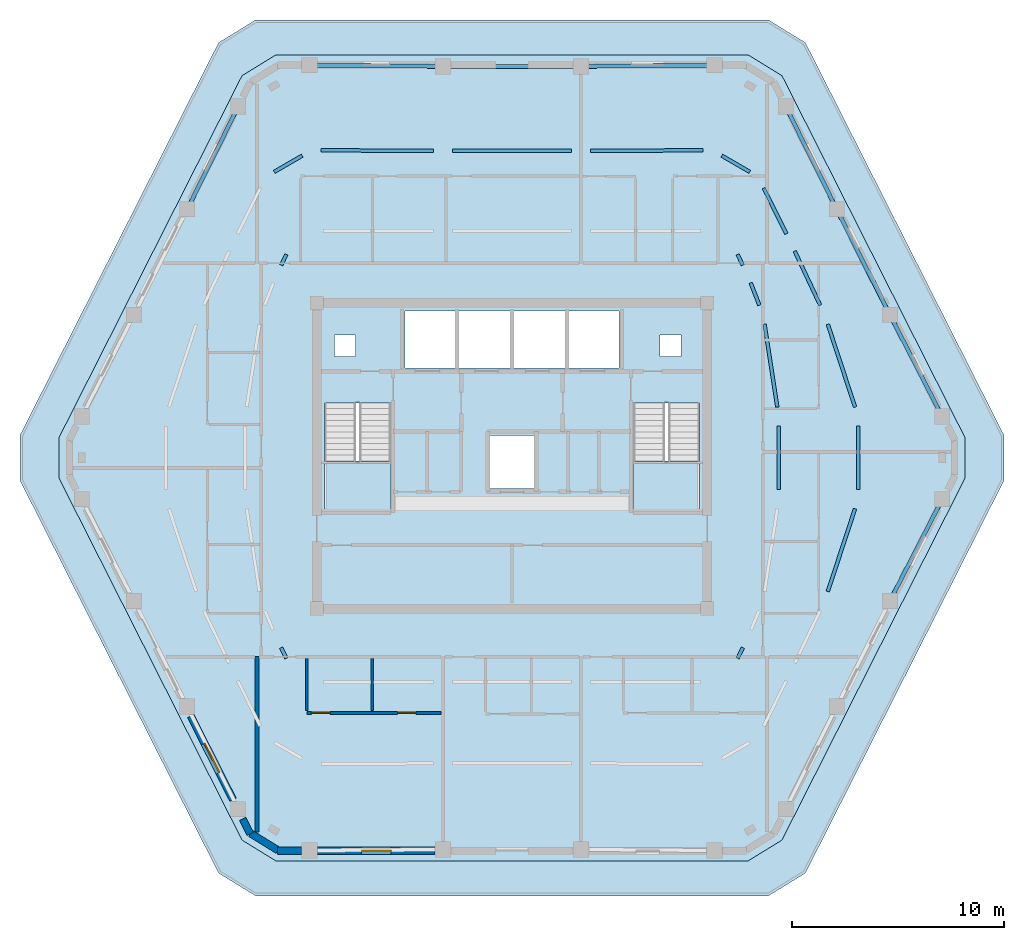
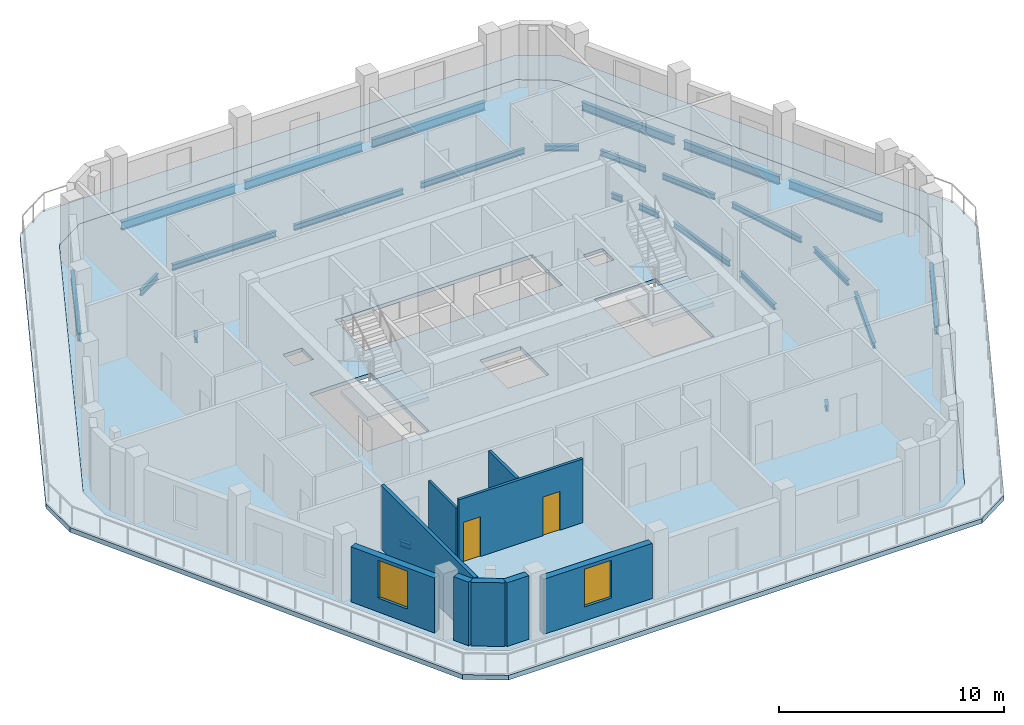
# One storey, part 2 of 10: 25 beams, 9 walls, 4 slabs, 2 doors, 2 windows, 4 openings, 2 elements without a shape of their own.
"""IFC4 building model written with IfcOpenShell, lengths in metres."""

from ifc_helpers import new_model, si_unit, direction, frame, frame_2d, origin, origin_2d, place, context, subcontext, project, spatial, polyline, rectangle, i_section, outline, extrude, material, layer, layer_set, material_profile, profile_set, type_object, element, fill, aggregate, save


model = new_model("IFC4")

# Units and contexts
model_context = context("Model", 3, precision=1e-05, world=origin(), true_north=direction((0.0, 1.0)))
body_context = subcontext(model_context, "Body", "Model", "MODEL_VIEW")
ifc_project = project(units=[si_unit("LENGTHUNIT", "METRE"), si_unit("AREAUNIT", "SQUARE_METRE"), si_unit("VOLUMEUNIT", "CUBIC_METRE"), si_unit("PLANEANGLEUNIT", "RADIAN"), si_unit("MASSUNIT", "GRAM", prefix="KILO")], contexts=[model_context])

# Site, building, storey
site_placement = place(None, origin())
site = spatial("IfcSite", under=ifc_project, at=site_placement, CompositionType="ELEMENT")
building_placement = place(site_placement, origin())
building = spatial("IfcBuilding", under=site, at=building_placement, Name="Cinnabar Lancet Tower", CompositionType="ELEMENT")
storey_placement = place(building_placement, frame((0.0, 0.0, 227.0)))
storey = spatial("IfcBuildingStorey", under=building, at=storey_placement, Name="L60", CompositionType="ELEMENT", Elevation=227.0)

# Beams
ifc_material_1 = material(Name="Structural steel S355", Category="steel")
ifc_material_profile_1 = material_profile(ifc_material_1, i_section(OverallWidth=0.1650390625, OverallDepth=0.303466796875, WebThickness=0.006103515625, FlangeThickness=0.01025390625, FilletRadius=0.0087890625, at=origin_2d()), Name="UKB 305x165x40")
ifc_profile_set_1 = profile_set([ifc_material_profile_1], Name="Structural steel S355")
beam_type_1 = type_object("IfcBeamType", Name="STR-BM-JST-305", PredefinedType="JOIST", material=ifc_profile_set_1)
for number, where, z_axis, x_axis, name in (
    (1, (21.489013671875, 16.823974609375, -0.35205078125), (0.444411959601, -0.895822532739, 0.0), (0.895822532739, 0.444411959601, 0.0), "L60 Secondary Floor Joist 6"),
    (2, (43.06298828125, 16.323974609375, -0.35205078125), (0.444411959601, 0.895822532739, 0.0), (-0.895822532739, 0.444411959601, 0.0), "L60 Secondary Floor Joist 16"),
):
    element("IfcBeam", number, at=place(storey_placement, frame(where, z_axis=z_axis, x_axis=x_axis)), inside=storey, type_object=beam_type_1, Name=name, PredefinedType="JOIST", context=body_context, shape_type="SweptSolid", body=[
        extrude(i_section(OverallWidth=0.1650390625, OverallDepth=0.303466796875, WebThickness=0.006103515625, FlangeThickness=0.01025390625, FilletRadius=0.0087890625, at=origin_2d()), origin(), (0.0, 0.0, 1.0), 0.55810546875),
    ])
beam_1_placement = place(storey_placement, frame((47.3291015625, 19.48291015625, -0.35205078125), z_axis=(0.312472773366, 0.949926716071, 0.0), x_axis=(-0.949926716071, 0.312472773366, 0.0)))
element("IfcBeam", 3, at=beam_1_placement, inside=storey, type_object=beam_type_1, Name="L60 Secondary Floor Joist 19", PredefinedType="JOIST", context=body_context, shape_type="SweptSolid", body=[
    extrude(i_section(OverallWidth=0.1650390625, OverallDepth=0.303466796875, WebThickness=0.006103515625, FlangeThickness=0.01025390625, FilletRadius=0.0087890625, at=origin_2d()), origin(), (0.0, 0.0, 1.0), 4.118408203125),
])
for number, where, z_axis, x_axis, name in (
    (4, (48.763916015625, 24.294921875, -0.35205078125), (0.0, 1.0, 0.0), (-1.0, 0.0, 0.0), "L60 Secondary Floor Joist 21"),
    (5, (45.010986328125, 24.294921875, -0.35205078125), (0.0, 1.0, 0.0), (-1.0, 0.0, 0.0), "L60 Secondary Floor Joist 22"),
):
    element("IfcBeam", number, at=place(storey_placement, frame(where, z_axis=z_axis, x_axis=x_axis)), inside=storey, type_object=beam_type_1, Name=name, PredefinedType="JOIST", context=body_context, shape_type="SweptSolid", body=[
        extrude(i_section(OverallWidth=0.1650390625, OverallDepth=0.303466796875, WebThickness=0.006103515625, FlangeThickness=0.01025390625, FilletRadius=0.0087890625, at=origin_2d()), origin(), (0.0, 0.0, 1.0), 3.010009765625),
    ])
beam_2_placement = place(storey_placement, frame((48.615966796875, 28.205078125, -0.35205078125), z_axis=(-0.312490370607, 0.949920927382, 0.0), x_axis=(-0.949920927382, -0.312490370607, 0.0)))
element("IfcBeam", 6, at=beam_2_placement, inside=storey, type_object=beam_type_1, Name="L60 Secondary Floor Joist 23", PredefinedType="JOIST", context=body_context, shape_type="SweptSolid", body=[
    extrude(i_section(OverallWidth=0.1650390625, OverallDepth=0.303466796875, WebThickness=0.006103515625, FlangeThickness=0.01025390625, FilletRadius=0.0087890625, at=origin_2d()), origin(), (0.0, 0.0, 1.0), 4.1181640625),
])
beam_3_placement = place(storey_placement, frame((44.94189453125, 28.205078125, -0.35205078125), z_axis=(-0.152293569252, 0.98833530179, 0.0), x_axis=(-0.98833530179, -0.152293569252, 0.0)))
element("IfcBeam", 7, at=beam_3_placement, inside=storey, type_object=beam_type_1, Name="L60 Secondary Floor Joist 24", PredefinedType="JOIST", context=body_context, shape_type="SweptSolid", body=[
    extrude(i_section(OverallWidth=0.1650390625, OverallDepth=0.303466796875, WebThickness=0.006103515625, FlangeThickness=0.01025390625, FilletRadius=0.0087890625, at=origin_2d()), origin(), (0.0, 0.0, 1.0), 3.9580078125),
])
beam_4_placement = place(storey_placement, frame((46.968994140625, 33.01708984375, -0.35205078125), z_axis=(-0.425959406459, 0.904742274932, 0.0), x_axis=(-0.904742274932, -0.425959406459, 0.0)))
element("IfcBeam", 8, at=beam_4_placement, inside=storey, type_object=beam_type_1, Name="L60 Secondary Floor Joist 25", PredefinedType="JOIST", context=body_context, shape_type="SweptSolid", body=[
    extrude(i_section(OverallWidth=0.1650390625, OverallDepth=0.303466796875, WebThickness=0.006103515625, FlangeThickness=0.01025390625, FilletRadius=0.0087890625, at=origin_2d()), origin(), (0.0, 0.0, 1.0), 2.823974609375),
])
beam_5_placement = place(storey_placement, frame((44.093994140625, 33.01708984375, -0.35205078125), z_axis=(-0.362643819572, 0.931927819161, 0.0), x_axis=(-0.931927819161, -0.362643819572, 0.0)))
element("IfcBeam", 9, at=beam_5_placement, inside=storey, type_object=beam_type_1, Name="L60 Secondary Floor Joist 26", PredefinedType="JOIST", context=body_context, shape_type="SweptSolid", body=[
    extrude(i_section(OverallWidth=0.1650390625, OverallDepth=0.303466796875, WebThickness=0.006103515625, FlangeThickness=0.01025390625, FilletRadius=0.0087890625, at=origin_2d()), origin(), (0.0, 0.0, 1.0), 1.133056640625),
])
beam_6_placement = place(storey_placement, frame((45.368896484375, 36.39501953125, -0.35205078125), z_axis=(-0.444493042081, 0.895782303655, 0.0), x_axis=(-0.895782303655, -0.444493042081, 0.0)))
element("IfcBeam", 10, at=beam_6_placement, inside=storey, type_object=beam_type_1, Name="L60 Secondary Floor Joist 27", PredefinedType="JOIST", context=body_context, shape_type="SweptSolid", body=[
    extrude(i_section(OverallWidth=0.1650390625, OverallDepth=0.303466796875, WebThickness=0.006103515625, FlangeThickness=0.01025390625, FilletRadius=0.0087890625, at=origin_2d()), origin(), (0.0, 0.0, 1.0), 2.40673828125),
])
beam_7_placement = place(storey_placement, frame((43.31201171875, 34.9150390625, -0.35205078125), z_axis=(-0.443743490245, 0.896153845534, 0.0), x_axis=(-0.896153845534, -0.443743490245, 0.0)))
element("IfcBeam", 11, at=beam_7_placement, inside=storey, type_object=beam_type_1, Name="L60 Secondary Floor Joist 28", PredefinedType="JOIST", context=body_context, shape_type="SweptSolid", body=[
    extrude(i_section(OverallWidth=0.1650390625, OverallDepth=0.303466796875, WebThickness=0.006103515625, FlangeThickness=0.01025390625, FilletRadius=0.0087890625, at=origin_2d()), origin(), (0.0, 0.0, 1.0), 0.5634765625),
])
beam_8_placement = place(storey_placement, frame((43.636962890625, 39.322021484375, -0.35205078125), z_axis=(-0.865320251446, 0.50121937556, 0.0), x_axis=(-0.50121937556, -0.865320251446, 0.0)))
element("IfcBeam", 12, at=beam_8_placement, inside=storey, type_object=beam_type_1, Name="L60 Secondary Floor Joist 29", PredefinedType="JOIST", context=body_context, shape_type="SweptSolid", body=[
    extrude(i_section(OverallWidth=0.1650390625, OverallDepth=0.303466796875, WebThickness=0.006103515625, FlangeThickness=0.01025390625, FilletRadius=0.0087890625, at=origin_2d()), origin(), (0.0, 0.0, 1.0), 1.524169921875),
])
beam_9_placement = place(storey_placement, frame((41.424072265625, 40.341064453125, -0.35205078125), z_axis=(-0.999985089236, -0.005460888698, 0.0), x_axis=(0.005460888698, -0.999985089236, 0.0)))
element("IfcBeam", 13, at=beam_9_placement, inside=storey, type_object=beam_type_1, Name="L60 Secondary Floor Joist 30", PredefinedType="JOIST", context=body_context, shape_type="SweptSolid", body=[
    extrude(i_section(OverallWidth=0.1650390625, OverallDepth=0.303466796875, WebThickness=0.006103515625, FlangeThickness=0.01025390625, FilletRadius=0.0087890625, at=origin_2d()), origin(), (0.0, 0.0, 1.0), 5.320068359375),
])
beam_10_placement = place(storey_placement, frame((35.2041015625, 40.30908203125, -0.35205078125), z_axis=(-1.0, 0.0, 0.0), x_axis=(0.0, -1.0, 0.0)))
element("IfcBeam", 14, at=beam_10_placement, inside=storey, type_object=beam_type_1, Name="L60 Secondary Floor Joist 32", PredefinedType="JOIST", context=body_context, shape_type="SweptSolid", body=[
    extrude(i_section(OverallWidth=0.1650390625, OverallDepth=0.303466796875, WebThickness=0.006103515625, FlangeThickness=0.01025390625, FilletRadius=0.0087890625, at=origin_2d()), origin(), (0.0, 0.0, 1.0), 5.608154296875),
])
beam_11_placement = place(storey_placement, frame((28.696044921875, 40.31201171875, -0.35205078125), z_axis=(-0.999985089236, 0.005460888698, 0.0), x_axis=(-0.005460888698, -0.999985089236, 0.0)))
element("IfcBeam", 15, at=beam_11_placement, inside=storey, type_object=beam_type_1, Name="L60 Secondary Floor Joist 34", PredefinedType="JOIST", context=body_context, shape_type="SweptSolid", body=[
    extrude(i_section(OverallWidth=0.1650390625, OverallDepth=0.303466796875, WebThickness=0.006103515625, FlangeThickness=0.01025390625, FilletRadius=0.0087890625, at=origin_2d()), origin(), (0.0, 0.0, 1.0), 5.320068359375),
])
beam_12_placement = place(storey_placement, frame((22.48193359375, 40.0859375, -0.35205078125), z_axis=(-0.865320251446, -0.50121937556, 0.0), x_axis=(0.50121937556, -0.865320251446, 0.0)))
element("IfcBeam", 16, at=beam_12_placement, inside=storey, type_object=beam_type_1, Name="L60 Secondary Floor Joist 36", PredefinedType="JOIST", context=body_context, shape_type="SweptSolid", body=[
    extrude(i_section(OverallWidth=0.1650390625, OverallDepth=0.303466796875, WebThickness=0.006103515625, FlangeThickness=0.01025390625, FilletRadius=0.0087890625, at=origin_2d()), origin(), (0.0, 0.0, 1.0), 1.524169921875),
])
beam_13_placement = place(storey_placement, frame((21.738037109375, 35.419921875, -0.35205078125), z_axis=(-0.443743490245, -0.896153845534, 0.0), x_axis=(0.896153845534, -0.443743490245, 0.0)))
element("IfcBeam", 17, at=beam_13_placement, inside=storey, type_object=beam_type_1, Name="L60 Secondary Floor Joist 38", PredefinedType="JOIST", context=body_context, shape_type="SweptSolid", body=[
    extrude(i_section(OverallWidth=0.1650390625, OverallDepth=0.303466796875, WebThickness=0.006103515625, FlangeThickness=0.01025390625, FilletRadius=0.0087890625, at=origin_2d()), origin(), (0.0, 0.0, 1.0), 0.5634765625),
])
ifc_material_2 = material(Name="Structural steel S355", Category="steel")
ifc_material_profile_2 = material_profile(ifc_material_2, i_section(OverallWidth=0.1904296875, OverallDepth=0.45703125, WebThickness=0.009033203125, FlangeThickness=0.014404296875, FilletRadius=0.01025390625, at=origin_2d()), Name="UKB 457x191x74")
ifc_profile_set_2 = profile_set([ifc_material_profile_2], Name="Structural steel S355")
beam_type_2 = type_object("IfcBeamType", Name="STR-BM-SPN-457", PredefinedType="SPANDREL", material=ifc_profile_set_2)
beam_14_placement = place(storey_placement, frame((50.3779296875, 19.2548828125, -0.427978515625), z_axis=(0.457127852293, 0.889400993174, 0.0), x_axis=(-0.889400993174, 0.457127852293, 0.0)))
element("IfcBeam", 18, at=beam_14_placement, inside=storey, type_object=beam_type_2, Name="L60 Perimeter Spandrel 7", PredefinedType="SPANDREL", context=body_context, shape_type="SweptSolid", body=[
    extrude(i_section(OverallWidth=0.1904296875, OverallDepth=0.45703125, WebThickness=0.009033203125, FlangeThickness=0.014404296875, FilletRadius=0.01025390625, at=origin_2d()), origin(), (0.0, 0.0, 1.0), 4.911376953125),
])
beam_15_placement = place(storey_placement, frame((52.623046875, 27.97705078125, -0.427978515625), z_axis=(-0.457148063427, 0.889390604912, 0.0), x_axis=(-0.889390604912, -0.457148063427, 0.0)))
element("IfcBeam", 19, at=beam_15_placement, inside=storey, type_object=beam_type_2, Name="L60 Perimeter Spandrel 9", PredefinedType="SPANDREL", context=body_context, shape_type="SweptSolid", body=[
    extrude(i_section(OverallWidth=0.1904296875, OverallDepth=0.45703125, WebThickness=0.009033203125, FlangeThickness=0.014404296875, FilletRadius=0.01025390625, at=origin_2d()), origin(), (0.0, 0.0, 1.0), 4.9111328125),
])
beam_16_placement = place(storey_placement, frame((50.15087890625, 32.7900390625, -0.427978515625), z_axis=(-0.450091864122, 0.892982258419, 0.0), x_axis=(-0.892982258419, -0.450091864122, 0.0)))
element("IfcBeam", 20, at=beam_16_placement, inside=storey, type_object=beam_type_2, Name="L60 Perimeter Spandrel 10", PredefinedType="SPANDREL", context=body_context, shape_type="SweptSolid", body=[
    extrude(i_section(OverallWidth=0.1904296875, OverallDepth=0.45703125, WebThickness=0.009033203125, FlangeThickness=0.014404296875, FilletRadius=0.01025390625, at=origin_2d()), origin(), (0.0, 0.0, 1.0), 5.085205078125),
])
beam_17_placement = place(storey_placement, frame((47.637939453125, 37.778076171875, -0.427978515625), z_axis=(-0.444372599207, 0.895842058107, 0.0), x_axis=(-0.895842058107, -0.444372599207, 0.0)))
element("IfcBeam", 21, at=beam_17_placement, inside=storey, type_object=beam_type_2, Name="L60 Perimeter Spandrel 11", PredefinedType="SPANDREL", context=body_context, shape_type="SweptSolid", body=[
    extrude(i_section(OverallWidth=0.1904296875, OverallDepth=0.45703125, WebThickness=0.009033203125, FlangeThickness=0.014404296875, FilletRadius=0.01025390625, at=origin_2d()), origin(), (0.0, 0.0, 1.0), 4.91943359375),
])
beam_18_placement = place(storey_placement, frame((41.721923828125, 44.35888671875, -0.427978515625), z_axis=(-0.999964782464, -0.008392486634, 0.0), x_axis=(0.008392486634, -0.999964782464, 0.0)))
element("IfcBeam", 22, at=beam_18_placement, inside=storey, type_object=beam_type_2, Name="L60 Perimeter Spandrel 13", PredefinedType="SPANDREL", context=body_context, shape_type="SweptSolid", body=[
    extrude(i_section(OverallWidth=0.1904296875, OverallDepth=0.45703125, WebThickness=0.009033203125, FlangeThickness=0.014404296875, FilletRadius=0.01025390625, at=origin_2d()), origin(), (0.0, 0.0, 1.0), 5.818115234375),
])
beam_19_placement = place(storey_placement, frame((35.404052734375, 44.30810546875, -0.427978515625), z_axis=(-1.0, 0.0, 0.0), x_axis=(0.0, -1.0, 0.0)))
element("IfcBeam", 23, at=beam_19_placement, inside=storey, type_object=beam_type_2, Name="L60 Perimeter Spandrel 14", PredefinedType="SPANDREL", context=body_context, shape_type="SweptSolid", body=[
    extrude(i_section(OverallWidth=0.1904296875, OverallDepth=0.45703125, WebThickness=0.009033203125, FlangeThickness=0.014404296875, FilletRadius=0.01025390625, at=origin_2d()), origin(), (0.0, 0.0, 1.0), 6.008056640625),
])
beam_20_placement = place(storey_placement, frame((28.89599609375, 44.31005859375, -0.427978515625), z_axis=(-0.999964785419, 0.008392134492, 0.0), x_axis=(-0.008392134492, -0.999964785419, 0.0)))
element("IfcBeam", 24, at=beam_20_placement, inside=storey, type_object=beam_type_2, Name="L60 Perimeter Spandrel 15", PredefinedType="SPANDREL", context=body_context, shape_type="SweptSolid", body=[
    extrude(i_section(OverallWidth=0.1904296875, OverallDepth=0.45703125, WebThickness=0.009033203125, FlangeThickness=0.014404296875, FilletRadius=0.01025390625, at=origin_2d()), origin(), (0.0, 0.0, 1.0), 5.818359375),
])
beam_21_placement = place(storey_placement, frame((19.347900390625, 42.18505859375, -0.427978515625), z_axis=(-0.44433276947, -0.895861814107, 0.0), x_axis=(0.895861814107, -0.44433276947, 0.0)))
element("IfcBeam", 25, at=beam_21_placement, inside=storey, type_object=beam_type_2, Name="L60 Perimeter Spandrel 17", PredefinedType="SPANDREL", context=body_context, shape_type="SweptSolid", body=[
    extrude(i_section(OverallWidth=0.1904296875, OverallDepth=0.45703125, WebThickness=0.009033203125, FlangeThickness=0.014404296875, FilletRadius=0.01025390625, at=origin_2d()), origin(), (0.0, 0.0, 1.0), 4.919189453125),
])

# Stair, slab
ifc_material_3 = material(Name="Concrete C40/50", Category="concrete")
stair_type = type_object("IfcStairType", Name="ST-CORE", PredefinedType="HALF_TURN_STAIR", material=ifc_material_3)
stair_1_placement = place(storey_placement, origin())
stair_1 = element("IfcStair", 26, at=stair_1_placement, inside=storey, type_object=stair_type, Name="L60 ST-1", PredefinedType="HALF_TURN_STAIR")
ifc_material_4 = material(Name="Concrete C40/50", Category="concrete")
ifc_layer_1 = layer(ifc_material_4, 0.199951171875)
ifc_layer_set_1 = layer_set([ifc_layer_1], Name="Concrete C40/50")
slab_type_1 = type_object("IfcSlabType", Name="LANDING-CORE", PredefinedType="LANDING", material=ifc_layer_set_1)
slab_1_placement = place(storey_placement, frame((0.0, 0.0, 1.625)))
slab_1 = element("IfcSlab", 27, at=slab_1_placement, type_object=slab_type_1, Name="ST-1 landing 1", PredefinedType="LANDING", context=body_context, shape_type="SweptSolid", body=[
    extrude(outline(polyline([(23.52490234375, 25.64990234375), (23.52490234375, 23.25), (26.675048828125, 23.25), (26.675048828125, 25.64990234375), (23.52490234375, 25.64990234375)])), origin(), (0.0, 0.0, 1.0), 0.199951171875),
])
aggregate(stair_1, [slab_1])

stair_2_placement = place(storey_placement, origin())
stair_2 = element("IfcStair", 28, at=stair_2_placement, inside=storey, type_object=stair_type, Name="L60 ST-2", PredefinedType="HALF_TURN_STAIR")
slab_2_placement = place(storey_placement, frame((0.0, 0.0, 1.625)))
slab_2 = element("IfcSlab", 29, at=slab_2_placement, type_object=slab_type_1, Name="ST-2 landing 1", PredefinedType="LANDING", context=body_context, shape_type="SweptSolid", body=[
    extrude(outline(polyline([(38.125, 25.64990234375), (38.125, 23.25), (41.27490234375, 23.25), (41.27490234375, 25.64990234375), (38.125, 25.64990234375)])), origin(), (0.0, 0.0, 1.0), 0.199951171875),
])
aggregate(stair_2, [slab_2])

# Slabs
ifc_material_5 = material(Name="Concrete C40/50", Category="concrete")
ifc_layer_2 = layer(ifc_material_5, 0.199951171875)
ifc_layer_set_2 = layer_set([ifc_layer_2], Name="Concrete C40/50")
slab_type_2 = type_object("IfcSlabType", Name="STR-SLB-FLR-200", PredefinedType="FLOOR", material=ifc_layer_set_2)
slab_3_placement = place(storey_placement, frame((0.0, 0.0, -0.199951171875)))
element("IfcSlab", 30, at=slab_3_placement, inside=storey, type_object=slab_type_2, Name="L60 Structural Floor Slab", PredefinedType="FLOOR", context=body_context, shape_type="SweptSolid", body=[
    extrude(outline(polyline([(19.638916015625, 7.73193359375), (21.236083984375, 6.75), (43.56396484375, 6.75), (45.160888671875, 7.73193359375), (53.802978515625, 24.818115234375), (53.802978515625, 26.781982421875), (45.160888671875, 43.867919921875), (43.56396484375, 44.85009765625), (21.236083984375, 44.85009765625), (19.638916015625, 43.867919921875), (10.9970703125, 26.781982421875), (10.9970703125, 24.818115234375), (19.638916015625, 7.73193359375)]), holes=[polyline([(23.52490234375, 23.25), (26.675048828125, 23.25), (26.675048828125, 28.3994140625), (23.52490234375, 28.3994140625), (23.52490234375, 23.25)]), polyline([(38.125, 23.25), (41.27490234375, 23.25), (41.27490234375, 28.3994140625), (38.125, 28.3994140625), (38.125, 23.25)]), polyline([(27.35009765625, 30.050048828125), (37.449951171875, 30.050048828125), (37.449951171875, 32.75), (27.35009765625, 32.75), (27.35009765625, 30.050048828125)]), polyline([(31.35009765625, 24.35009765625), (33.449951171875, 24.35009765625), (33.449951171875, 26.85009765625), (31.35009765625, 26.85009765625), (31.35009765625, 24.35009765625)]), polyline([(24.0, 30.60009765625), (25.0, 30.60009765625), (25.0, 31.60009765625), (24.0, 31.60009765625), (24.0, 30.60009765625)]), polyline([(39.39990234375, 30.60009765625), (40.39990234375, 30.60009765625), (40.39990234375, 31.60009765625), (39.39990234375, 31.60009765625), (39.39990234375, 30.60009765625)])]), origin(), (0.0, 0.0, 1.0), 0.199951171875),
])
ifc_material_6 = material(Name="Concrete C45/55", Category="concrete")
ifc_layer_3 = layer(ifc_material_6, 0.260009765625)
ifc_layer_set_3 = layer_set([ifc_layer_3], Name="Concrete C45/55")
slab_type_3 = type_object("IfcSlabType", Name="STR-SLB-TER-260", PredefinedType="ROOF", material=ifc_layer_set_3)
slab_4_placement = place(storey_placement, frame((0.0, 0.0, -0.260009765625)))
element("IfcSlab", 31, at=slab_4_placement, inside=storey, type_object=slab_type_3, Name="L60 Planted Setback Roof Terrace Slab", PredefinedType="ROOF", context=body_context, shape_type="SweptSolid", body=[
    extrude(outline(polyline([(18.530029296875, 6.1708984375), (20.27197265625, 5.10009765625), (44.528076171875, 5.10009765625), (46.27001953125, 6.1708984375), (55.657958984375, 24.72900390625), (55.657958984375, 26.87109375), (46.27001953125, 45.428955078125), (44.528076171875, 46.5), (20.27197265625, 46.5), (18.530029296875, 45.428955078125), (9.14208984375, 26.87109375), (9.14208984375, 24.72900390625), (18.530029296875, 6.1708984375)]), holes=[polyline([(19.638916015625, 7.73193359375), (21.236083984375, 6.75), (43.56396484375, 6.75), (45.160888671875, 7.73193359375), (53.802978515625, 24.818115234375), (53.802978515625, 26.781982421875), (45.160888671875, 43.867919921875), (43.56396484375, 44.85009765625), (21.236083984375, 44.85009765625), (19.638916015625, 43.867919921875), (10.9970703125, 26.781982421875), (10.9970703125, 24.818115234375), (19.638916015625, 7.73193359375)])]), origin(), (0.0, 0.0, 1.0), 0.260009765625),
])

# Walls
ifc_material_7 = material(Name="Fire-rated twin-frame acoustic drywall", Category="gypsum")
ifc_layer_4 = layer(ifc_material_7, 0.179931640625)
ifc_layer_set_4 = layer_set([ifc_layer_4], Name="Fire-rated twin-frame acoustic drywall")
wall_type_1 = type_object("IfcWallType", Name="ARC-WL-PARTY-180", PredefinedType="PARTITIONING", material=ifc_layer_set_4)
wall_1_placement = place(storey_placement, frame((20.35009765625, 8.118896484375, 0.0), z_axis=(0.0, 0.0, 1.0), x_axis=(0.0, 1.0, 0.0)))
element("IfcWall", 32, at=wall_1_placement, inside=storey, type_object=wall_type_1, Name="PW-L60-SPTY-204", PredefinedType="PARTITIONING", context=body_context, shape_type="SweptSolid", body=[
    extrude(rectangle(XDim=8.281005859375, YDim=0.179931640625, at=frame_2d((4.140625, 0.0))), origin(), (0.0, 0.0, 1.0), 3.449951171875),
])
ifc_material_8 = material(Name="Gypsum plasterboard stud partition", Category="gypsum")
ifc_layer_5 = layer(ifc_material_8, 0.125)
ifc_layer_set_5 = layer_set([ifc_layer_5], Name="Gypsum plasterboard stud partition")
wall_type_2 = type_object("IfcWallType", Name="ARC-WL-UNIT-125", PredefinedType="PARTITIONING", material=ifc_layer_set_5)
wall_2_placement = place(storey_placement, frame((22.699951171875, 13.85498046875, 0.0), z_axis=(0.0, 0.0, 1.0), x_axis=(0.0, 1.0, 0.0)))
element("IfcWall", 33, at=wall_2_placement, inside=storey, type_object=wall_type_2, Name="UW-L60-S01-FOYE", PredefinedType="PARTITIONING", context=body_context, shape_type="SweptSolid", body=[
    extrude(rectangle(XDim=2.4599609375, YDim=0.125, at=frame_2d((1.22998046875, 0.0))), origin(), (0.0, 0.0, 1.0), 2.906982421875),
])

# Wall, openings, doors
ifc_material_9 = material(Name="Moisture-resistant cement-board plumbing wall", Category="masonry")
ifc_layer_6 = layer(ifc_material_9, 0.139892578125)
ifc_layer_set_6 = layer_set([ifc_layer_6], Name="Moisture-resistant cement-board plumbing wall")
wall_type_3 = type_object("IfcWallType", Name="ARC-WL-WET-140", PredefinedType="PLUMBINGWALL", material=ifc_layer_set_6)
wall_3_placement = place(storey_placement, frame((22.699951171875, 13.75, 0.0), z_axis=(0.0, 0.0, 1.0), x_axis=(1.0, 0.0, 0.0)))
wall_3 = element("IfcWall", 34, at=wall_3_placement, inside=storey, type_object=wall_type_3, Name="UW-L60-S01-SPL", PredefinedType="PLUMBINGWALL", context=body_context, shape_type="SweptSolid", body=[
    extrude(rectangle(XDim=6.35107421875, YDim=0.139892578125, at=frame_2d((3.175537109375, 0.0))), origin(), (0.0, 0.0, 1.0), 3.449951171875),
])
opening_1_placement = place(wall_3_placement, frame((4.298095703125, 0.0, 0.0)))
opening_1 = element("IfcOpeningElement", 35, at=opening_1_placement, cuts=wall_3, Name="Opening BD-01", PredefinedType="OPENING", context=body_context, shape_type="SweptSolid", body=[
    extrude(rectangle(XDim=0.860107421875, YDim=2.10009765625, at=frame_2d((0.43017578125, 1.050048828125))), frame((0.0, 0.079833984375, 0.0), z_axis=(0.0, -1.0, 0.0), x_axis=(1.0, 0.0, 0.0)), (0.0, 0.0, 1.0), 0.159912109375),
])
opening_2_placement = place(wall_3_placement, frame((0.219970703125, 0.0, 0.0)))
opening_2 = element("IfcOpeningElement", 36, at=opening_2_placement, cuts=wall_3, Name="Opening RD-02", PredefinedType="OPENING", context=body_context, shape_type="SweptSolid", body=[
    extrude(rectangle(XDim=0.8798828125, YDim=2.14990234375, at=frame_2d((0.43994140625, 1.074951171875))), frame((0.0, 0.079833984375, 0.0), z_axis=(0.0, -1.0, 0.0), x_axis=(1.0, 0.0, 0.0)), (0.0, 0.0, 1.0), 0.159912109375),
])
ifc_material_10 = material(Name="Moisture-resistant timber bathroom door", Category="wood")
door_type_1 = type_object("IfcDoorType", Name="ARC-DR-BATH", OperationType="NOTDEFINED", PredefinedType="DOOR", material=ifc_material_10)
door_1_placement = place(opening_1_placement, origin())
door_1 = element("IfcDoor", 37, at=door_1_placement, inside=storey, type_object=door_type_1, Name="DR-L60-S01-BTH", OperationType="SINGLE_SWING_RIGHT", OverallHeight=2.10009765625, OverallWidth=0.860107421875, PredefinedType="DOOR", context=body_context, shape_type="SweptSolid", body=[
    extrude(rectangle(XDim=0.860107421875, YDim=2.10009765625, at=frame_2d((0.43017578125, 1.050048828125))), frame((0.0, 0.02490234375, 0.0), z_axis=(0.0, -1.0, 0.0), x_axis=(1.0, 0.0, 0.0)), (0.0, 0.0, 1.0), 0.050048828125),
])
fill(opening_1, door_1)
ifc_material_11 = material(Name="Engineered timber study door", Category="wood")
door_type_2 = type_object("IfcDoorType", Name="ARC-DR-STUDY", OperationType="NOTDEFINED", PredefinedType="DOOR", material=ifc_material_11)
door_2_placement = place(opening_2_placement, origin())
door_2 = element("IfcDoor", 38, at=door_2_placement, inside=storey, type_object=door_type_2, Name="DR-L60-S01-KIT", OperationType="SINGLE_SWING_LEFT", OverallHeight=2.14990234375, OverallWidth=0.8798828125, PredefinedType="DOOR", context=body_context, shape_type="SweptSolid", body=[
    extrude(rectangle(XDim=0.8798828125, YDim=2.14990234375, at=frame_2d((0.43994140625, 1.074951171875))), frame((0.0, 0.02490234375, 0.0), z_axis=(0.0, -1.0, 0.0), x_axis=(1.0, 0.0, 0.0)), (0.0, 0.0, 1.0), 0.050048828125),
])
fill(opening_2, door_2)

# Walls
wall_4_placement = place(storey_placement, frame((25.7939453125, 13.85498046875, 0.0), z_axis=(0.0, 0.0, 1.0), x_axis=(0.0, 1.0, 0.0)))
element("IfcWall", 39, at=wall_4_placement, inside=storey, type_object=wall_type_3, Name="UW-L60-S01-KDV", PredefinedType="PLUMBINGWALL", context=body_context, shape_type="SweptSolid", body=[
    extrude(rectangle(XDim=2.4599609375, YDim=0.139892578125, at=frame_2d((1.22998046875, 0.0))), origin(), (0.0, 0.0, 1.0), 3.449951171875),
])
ifc_material_12 = material(Name="Cinnabar red clay brick", Category="masonry")
ifc_layer_7 = layer(ifc_material_12, 0.340087890625)
ifc_layer_set_7 = layer_set([ifc_layer_7], Name="Cinnabar red clay brick")
wall_type_4 = type_object("IfcWallType", Name="ENV-WL-BRK-RED-340", PredefinedType="STANDARD", material=ifc_layer_set_7)
wall_5_placement = place(storey_placement, frame((20.047119140625, 8.044921875, 0.0), z_axis=(0.0, 0.0, 1.0), x_axis=(0.851680557619, -0.52406128246, 0.0)))
element("IfcWall", 40, at=wall_5_placement, inside=storey, type_object=wall_type_4, Name="L60 Chamfered Corner Brick Pier 1.1", PredefinedType="STANDARD", context=body_context, shape_type="SweptSolid", body=[
    extrude(rectangle(XDim=1.507568359375, YDim=0.340087890625, at=frame_2d((0.75390625, 0.0))), origin(), (0.0, 0.0, 1.0), 3.449951171875),
])
wall_6_placement = place(storey_placement, frame((21.325927734375, 7.22998046875, 0.0), z_axis=(0.0, 0.0, 1.0), x_axis=(1.0, 0.0, 0.0)))
element("IfcWall", 41, at=wall_6_placement, inside=storey, type_object=wall_type_4, Name="L60 Face 1 Masonry Bay Wall 1", PredefinedType="STANDARD", context=body_context, shape_type="SweptSolid", body=[
    extrude(rectangle(XDim=1.123046875, YDim=0.340087890625, at=frame_2d((0.5615234375, 0.0))), origin(), (0.0, 0.0, 1.0), 3.449951171875),
])

# Wall, opening, window
wall_7_placement = place(storey_placement, frame((23.20703125, 7.22998046875, 0.0), z_axis=(0.0, 0.0, 1.0), x_axis=(1.0, 0.0, 0.0)))
wall_7 = element("IfcWall", 42, at=wall_7_placement, inside=storey, type_object=wall_type_4, Name="L60 Face 1 Masonry Bay Wall 2", PredefinedType="STANDARD", context=body_context, shape_type="SweptSolid", body=[
    extrude(rectangle(XDim=5.56005859375, YDim=0.340087890625, at=frame_2d((2.780029296875, 0.0))), origin(), (0.0, 0.0, 1.0), 2.98291015625),
])
opening_3_placement = place(wall_7_placement, frame((2.080078125, 0.0, 0.75)))
opening_3 = element("IfcOpeningElement", 43, at=opening_3_placement, cuts=wall_7, Name="Opening WN-02", PredefinedType="OPENING", context=body_context, shape_type="SweptSolid", body=[
    extrude(rectangle(XDim=1.39990234375, YDim=2.050048828125, at=frame_2d((0.699951171875, 1.02490234375))), frame((0.0, 0.179931640625, 0.0), z_axis=(0.0, -1.0, 0.0), x_axis=(1.0, 0.0, 0.0)), (0.0, 0.0, 1.0), 0.360107421875),
])
ifc_material_13 = material(Name="Thermally broken bronze-anodized aluminium low-E double glazing", Category="aluminium")
window_type_1 = type_object("IfcWindowType", Name="ENV-WN-LANCET-1400", PartitioningType="SINGLE_PANEL", PredefinedType="WINDOW", material=ifc_material_13)
window_1_placement = place(opening_3_placement, origin())
window_1 = element("IfcWindow", 44, at=window_1_placement, inside=storey, type_object=window_type_1, Name="L60 Face 1 Gothic Lancet Window 2", OverallHeight=2.050048828125, OverallWidth=1.39990234375, PartitioningType="SINGLE_PANEL", PredefinedType="WINDOW", context=body_context, shape_type="SweptSolid", body=[
    extrude(rectangle(XDim=1.39990234375, YDim=2.050048828125, at=frame_2d((0.699951171875, 1.02490234375))), frame((0.0, 0.030029296875, 0.0), z_axis=(0.0, -1.0, 0.0), x_axis=(1.0, 0.0, 0.0)), (0.0, 0.0, 1.0), 0.06005859375),
])
fill(opening_3, window_1)

wall_8_placement = place(storey_placement, frame((17.214111328125, 13.590087890625, 0.0), z_axis=(0.0, 0.0, 1.0), x_axis=(0.451440846853, -0.892301048858, 0.0)))
wall_8 = element("IfcWall", 45, at=wall_8_placement, inside=storey, type_object=wall_type_4, Name="L60 Face 6 Masonry Bay Wall 4", PredefinedType="STANDARD", context=body_context, shape_type="SweptSolid", body=[
    extrude(rectangle(XDim=4.43017578125, YDim=0.340087890625, at=frame_2d((2.215087890625, 0.0))), origin(), (0.0, 0.0, 1.0), 2.98291015625),
])
opening_4_placement = place(wall_8_placement, frame((1.43994140625, 0.0, 0.75)))
opening_4 = element("IfcOpeningElement", 46, at=opening_4_placement, cuts=wall_8, Name="Opening WN-01", PredefinedType="OPENING", context=body_context, shape_type="SweptSolid", body=[
    extrude(rectangle(XDim=1.550048828125, YDim=2.050048828125, at=frame_2d((0.77490234375, 1.02490234375))), frame((0.0, 0.179931640625, 0.0), z_axis=(0.0, -1.0, 0.0), x_axis=(1.0, 0.0, 0.0)), (0.0, 0.0, 1.0), 0.360107421875),
])
ifc_material_14 = material(Name="Thermally broken bronze-anodized aluminium low-E double glazing", Category="aluminium")
window_type_2 = type_object("IfcWindowType", Name="ENV-WN-LANCET-1550", PartitioningType="SINGLE_PANEL", PredefinedType="WINDOW", material=ifc_material_14)
window_2_placement = place(opening_4_placement, origin())
window_2 = element("IfcWindow", 47, at=window_2_placement, inside=storey, type_object=window_type_2, Name="L60 Face 6 Gothic Lancet Window 4", OverallHeight=2.050048828125, OverallWidth=1.550048828125, PartitioningType="SINGLE_PANEL", PredefinedType="WINDOW", context=body_context, shape_type="SweptSolid", body=[
    extrude(rectangle(XDim=1.550048828125, YDim=2.050048828125, at=frame_2d((0.77490234375, 1.02490234375))), frame((0.0, 0.030029296875, 0.0), z_axis=(0.0, -1.0, 0.0), x_axis=(1.0, 0.0, 0.0)), (0.0, 0.0, 1.0), 0.06005859375),
])
fill(opening_4, window_2)

# Wall
wall_9_placement = place(storey_placement, frame((19.669921875, 8.735107421875, 0.0), z_axis=(0.0, 0.0, 1.0), x_axis=(0.451404919072, -0.89231922485, 0.0)))
element("IfcWall", 48, at=wall_9_placement, inside=storey, type_object=wall_type_4, Name="L60 Face 6 Masonry Bay Wall 5", PredefinedType="STANDARD", context=body_context, shape_type="SweptSolid", body=[
    extrude(rectangle(XDim=0.791259765625, YDim=0.340087890625, at=frame_2d((0.3955078125, 0.0))), origin(), (0.0, 0.0, 1.0), 3.449951171875),
])

save(model, "model.ifc")
